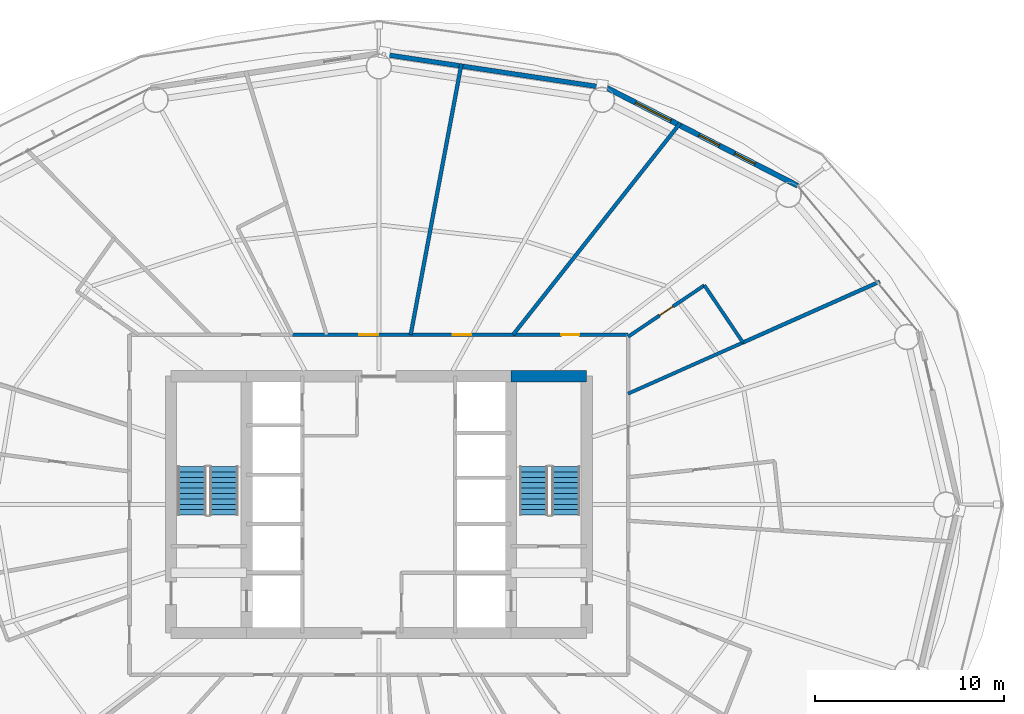
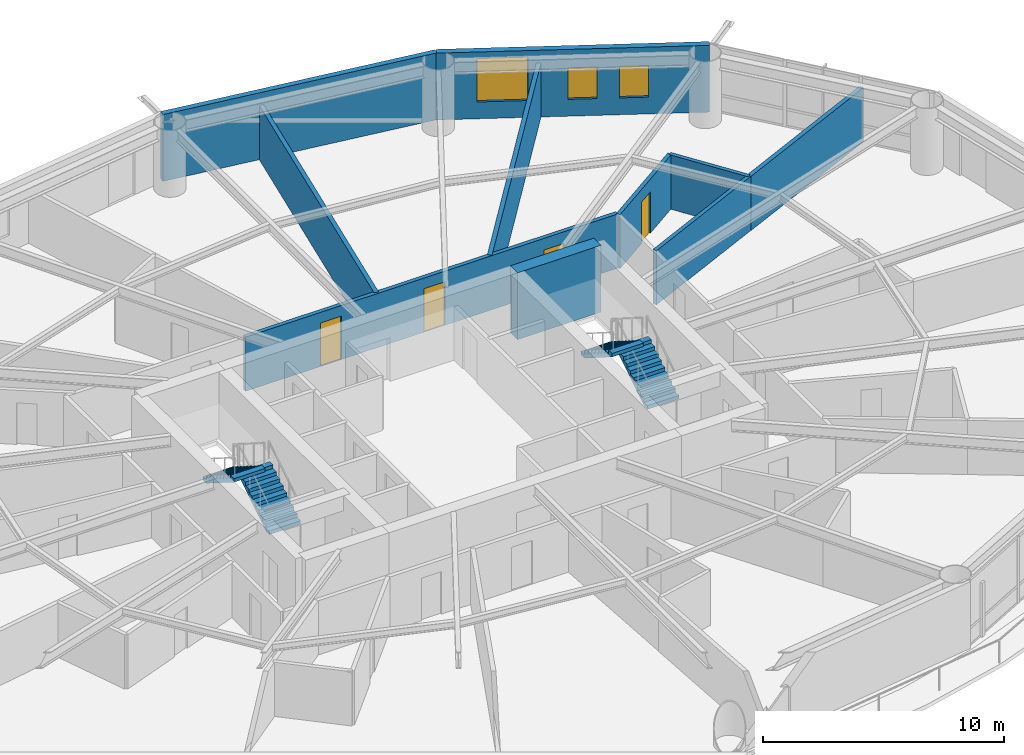
# One storey, part 23 of 26: 10 walls, 4 doors, 4 stair flights, 3 windows, 7 openings, 2 elements without a shape of their own.
"""IFC4 building model written with IfcOpenShell, lengths in metres."""

from ifc_helpers import new_model, si_unit, direction, frame, frame_2d, origin, place, context, subcontext, project, spatial, polyline, rectangle, outline, extrude, material, layer, layer_set, type_object, element, fill, aggregate, save


model = new_model("IFC4")

# Units and contexts
model_context = context("Model", 3, precision=1e-05, world=origin(), true_north=direction((0.0, 1.0)))
body_context = subcontext(model_context, "Body", "Model", "MODEL_VIEW")
ifc_project = project(units=[si_unit("LENGTHUNIT", "METRE"), si_unit("AREAUNIT", "SQUARE_METRE"), si_unit("VOLUMEUNIT", "CUBIC_METRE"), si_unit("PLANEANGLEUNIT", "RADIAN"), si_unit("MASSUNIT", "GRAM", prefix="KILO")], contexts=[model_context])

# Site, building, storey
site_placement = place(None, origin())
site = spatial("IfcSite", under=ifc_project, at=site_placement, CompositionType="ELEMENT")
building_placement = place(site_placement, origin())
building = spatial("IfcBuilding", under=site, at=building_placement, Name="Sarneth Arch Tower", CompositionType="ELEMENT")
storey_placement = place(building_placement, frame((0.0, 0.0, 53.39990234375)))
storey = spatial("IfcBuildingStorey", under=building, at=storey_placement, Name="L12", CompositionType="ELEMENT", Elevation=53.39990234375)

# Wall
ifc_material_1 = material(Name="Concrete C60/75", Category="concrete")
ifc_layer_1 = layer(ifc_material_1, 0.60009765625)
ifc_layer_set_1 = layer_set([ifc_layer_1], Name="Concrete C60/75")
wall_type_1 = type_object("IfcWallType", Name="WALL-CORE-600", PredefinedType="SHEAR", material=ifc_layer_set_1)
wall_1_placement = place(storey_placement, frame((55.0, 48.800048828125, 0.0), z_axis=(0.0, 0.0, 1.0), x_axis=(1.0, 0.0, 0.0)))
element("IfcWall", 1, at=wall_1_placement, inside=storey, type_object=wall_type_1, Name="L12 Core shear wall N-E", PredefinedType="SHEAR", context=body_context, shape_type="SweptSolid", body=[
    extrude(rectangle(XDim=4.0, YDim=0.60009765625, at=frame_2d((2.0, 0.0))), origin(), (0.0, 0.0, 1.0), 3.380126953125),
])

# Wall, openings, doors
ifc_material_2 = material(Name="Double steel-stud corridor fire wall", Category="steel")
ifc_layer_2 = layer(ifc_material_2, 0.18994140625)
ifc_layer_set_2 = layer_set([ifc_layer_2], Name="Double steel-stud corridor fire wall")
wall_type_2 = type_object("IfcWallType", Name="WALL-CORR-190", PredefinedType="PARTITIONING", material=ifc_layer_set_2)
wall_2_placement = place(storey_placement, frame((43.369140625, 51.0, 0.0), z_axis=(0.0, 0.0, 1.0), x_axis=(1.0, 0.0, 0.0)))
wall_2 = element("IfcWall", 2, at=wall_2_placement, inside=storey, type_object=wall_type_2, Name="L12 Interior partition W-L12-TP-001", PredefinedType="PARTITIONING", context=body_context, shape_type="SweptSolid", body=[
    extrude(rectangle(XDim=17.830810546875, YDim=0.18994140625, at=frame_2d((8.91552734375, 0.0))), origin(), (0.0, 0.0, 1.0), 2.739990234375),
])
opening_1_placement = place(wall_2_placement, frame((14.290283203125, 0.0, 0.0)))
opening_1 = element("IfcOpeningElement", 3, at=opening_1_placement, cuts=wall_2, Name="Opening FD-09", PredefinedType="OPENING", context=body_context, shape_type="SweptSolid", body=[
    extrude(rectangle(XDim=0.949951171875, YDim=2.14990234375, at=frame_2d((0.47509765625, 1.074951171875))), frame((0.0, 0.10498046875, 0.0), z_axis=(0.0, -1.0, 0.0), x_axis=(1.0, 0.0, 0.0)), (0.0, 0.0, 1.0), 0.2099609375),
])
opening_2_placement = place(wall_2_placement, frame((8.533203125, 0.0, 0.0)))
opening_2 = element("IfcOpeningElement", 4, at=opening_2_placement, cuts=wall_2, Name="Opening FD-08", PredefinedType="OPENING", context=body_context, shape_type="SweptSolid", body=[
    extrude(rectangle(XDim=1.0, YDim=2.199951171875, at=frame_2d((0.5, 1.10009765625))), frame((0.0, 0.10498046875, 0.0), z_axis=(0.0, -1.0, 0.0), x_axis=(1.0, 0.0, 0.0)), (0.0, 0.0, 1.0), 0.2099609375),
])
opening_3_placement = place(wall_2_placement, frame((3.59130859375, 0.0, 0.0)))
opening_3 = element("IfcOpeningElement", 5, at=opening_3_placement, cuts=wall_2, Name="Opening FD-08", PredefinedType="OPENING", context=body_context, shape_type="SweptSolid", body=[
    extrude(rectangle(XDim=1.0, YDim=2.199951171875, at=frame_2d((0.5, 1.10009765625))), frame((0.0, 0.10498046875, 0.0), z_axis=(0.0, -1.0, 0.0), x_axis=(1.0, 0.0, 0.0)), (0.0, 0.0, 1.0), 0.2099609375),
])
ifc_material_3 = material(Name="Hardwood timber acoustic fire door", Category="wood")
door_type_1 = type_object("IfcDoorType", Name="DR-FD60-1000", OperationType="SINGLE_SWING_LEFT", PredefinedType="DOOR", material=ifc_material_3)
door_1_placement = place(opening_2_placement, origin())
door_1 = element("IfcDoor", 6, at=door_1_placement, inside=storey, type_object=door_type_1, Name="L12 Interior door DR-L12-AMN-02", OperationType="SINGLE_SWING_RIGHT", OverallHeight=2.199951171875, OverallWidth=1.0, PredefinedType="DOOR", context=body_context, shape_type="SweptSolid", body=[
    extrude(rectangle(XDim=1.0, YDim=2.199951171875, at=frame_2d((0.5, 1.10009765625))), frame((0.0, 0.02490234375, 0.0), z_axis=(0.0, -1.0, 0.0), x_axis=(1.0, 0.0, 0.0)), (0.0, 0.0, 1.0), 0.050048828125),
])
fill(opening_2, door_1)
door_2_placement = place(opening_3_placement, origin())
door_2 = element("IfcDoor", 7, at=door_2_placement, inside=storey, type_object=door_type_1, Name="L12 Interior door DR-L12-AMN-03", OperationType="SINGLE_SWING_LEFT", OverallHeight=2.199951171875, OverallWidth=1.0, PredefinedType="DOOR", context=body_context, shape_type="SweptSolid", body=[
    extrude(rectangle(XDim=1.0, YDim=2.199951171875, at=frame_2d((0.5, 1.10009765625))), frame((0.0, 0.02490234375, 0.0), z_axis=(0.0, -1.0, 0.0), x_axis=(1.0, 0.0, 0.0)), (0.0, 0.0, 1.0), 0.050048828125),
])
fill(opening_3, door_2)
ifc_material_4 = material(Name="Hardwood timber hotel entrance fire door", Category="wood")
door_type_2 = type_object("IfcDoorType", Name="DR-FD60-950", OperationType="SINGLE_SWING_RIGHT", PredefinedType="DOOR", material=ifc_material_4)
door_3_placement = place(opening_1_placement, origin())
door_3 = element("IfcDoor", 8, at=door_3_placement, inside=storey, type_object=door_type_2, Name="L12 Interior door DR-L12-KEY-01", OperationType="SINGLE_SWING_LEFT", OverallHeight=2.14990234375, OverallWidth=0.949951171875, PredefinedType="DOOR", context=body_context, shape_type="SweptSolid", body=[
    extrude(rectangle(XDim=0.949951171875, YDim=2.14990234375, at=frame_2d((0.47509765625, 1.074951171875))), frame((0.0, 0.02490234375, 0.0), z_axis=(0.0, -1.0, 0.0), x_axis=(1.0, 0.0, 0.0)), (0.0, 0.0, 1.0), 0.050048828125),
])
fill(opening_1, door_3)

# Wall
ifc_material_5 = material(Name="Extruded terracotta rainscreen on Concrete C40/50 backing", Category="masonry")
ifc_layer_3 = layer(ifc_material_5, 0.25)
ifc_layer_set_3 = layer_set([ifc_layer_3], Name="Extruded terracotta rainscreen on Concrete C40/50 backing")
wall_type_3 = type_object("IfcWallType", Name="WALL-EXT-SPAND-250", PredefinedType="SOLIDWALL", material=ifc_layer_set_3)
wall_3_placement = place(storey_placement, frame((60.077880859375, 64.062255859375, 0.0), z_axis=(0.0, 0.0, 1.0), x_axis=(-0.988864835849, 0.148816452121, 0.0)))
element("IfcWall", 9, at=wall_3_placement, inside=storey, type_object=wall_type_3, Name="L12 Terracotta perimeter wall 04", PredefinedType="SOLIDWALL", context=body_context, shape_type="SweptSolid", body=[
    extrude(rectangle(XDim=12.2138671875, YDim=0.25, at=frame_2d((6.10693359375, 0.0))), origin(), (0.0, 0.0, 1.0), 3.380126953125),
])

# Wall, openings, windows
ifc_material_6 = material(Name="Extruded terracotta rainscreen on Concrete C40/50 backing", Category="masonry")
ifc_layer_4 = layer(ifc_material_6, 0.280029296875)
ifc_layer_set_4 = layer_set([ifc_layer_4], Name="Extruded terracotta rainscreen on Concrete C40/50 backing")
wall_type_4 = type_object("IfcWallType", Name="WALL-EXT-TERRA-280", PredefinedType="SOLIDWALL", material=ifc_layer_set_4)
wall_4_placement = place(storey_placement, frame((70.174072265625, 58.8857421875, 0.0), z_axis=(0.0, 0.0, 1.0), x_axis=(-0.889853976658, 0.456245438581, 0.0)))
wall_4 = element("IfcWall", 10, at=wall_4_placement, inside=storey, type_object=wall_type_4, Name="L12 Terracotta perimeter wall 03", PredefinedType="SOLIDWALL", context=body_context, shape_type="SweptSolid", body=[
    extrude(rectangle(XDim=11.345947265625, YDim=0.280029296875, at=frame_2d((5.6728515625, 0.0))), origin(), (0.0, 0.0, 1.0), 3.380126953125),
])
opening_4_placement = place(wall_4_placement, frame((2.53466796875, 0.0, 0.85009765625)))
opening_4 = element("IfcOpeningElement", 11, at=opening_4_placement, cuts=wall_4, Name="Opening W-10", PredefinedType="OPENING", context=body_context, shape_type="SweptSolid", body=[
    extrude(rectangle(XDim=1.199951171875, YDim=1.60009765625, at=frame_2d((0.60009765625, 0.800048828125))), frame((0.0, 0.14990234375, 0.0), z_axis=(0.0, -1.0, 0.0), x_axis=(1.0, 0.0, 0.0)), (0.0, 0.0, 1.0), 0.300048828125),
])
opening_5_placement = place(wall_4_placement, frame((4.663818359375, 0.0, 0.85009765625)))
opening_5 = element("IfcOpeningElement", 12, at=opening_5_placement, cuts=wall_4, Name="Opening W-10", PredefinedType="OPENING", context=body_context, shape_type="SweptSolid", body=[
    extrude(rectangle(XDim=1.199951171875, YDim=1.60009765625, at=frame_2d((0.60009765625, 0.800048828125))), frame((0.0, 0.14990234375, 0.0), z_axis=(0.0, -1.0, 0.0), x_axis=(1.0, 0.0, 0.0)), (0.0, 0.0, 1.0), 0.300048828125),
])
opening_6_placement = place(wall_4_placement, frame((7.5419921875, 0.0, 0.85009765625)))
opening_6 = element("IfcOpeningElement", 13, at=opening_6_placement, cuts=wall_4, Name="Opening W-03", PredefinedType="OPENING", context=body_context, shape_type="SweptSolid", body=[
    extrude(rectangle(XDim=2.10009765625, YDim=2.199951171875, at=frame_2d((1.050048828125, 1.10009765625))), frame((0.0, 0.14990234375, 0.0), z_axis=(0.0, -1.0, 0.0), x_axis=(1.0, 0.0, 0.0)), (0.0, 0.0, 1.0), 0.300048828125),
])
ifc_material_7 = material(Name="Thermally broken Aluminium 6063-T6 and low-e laminated IGU", Category="aluminium")
window_type_1 = type_object("IfcWindowType", Name="WIN-TWR-1200x1600", PartitioningType="SINGLE_PANEL", PredefinedType="WINDOW", material=ifc_material_7)
window_1_placement = place(opening_4_placement, origin())
window_1 = element("IfcWindow", 14, at=window_1_placement, inside=storey, type_object=window_type_1, Name="L12 Exterior window 03A", OverallHeight=1.60009765625, OverallWidth=1.199951171875, PartitioningType="SINGLE_PANEL", PredefinedType="WINDOW", context=body_context, shape_type="SweptSolid", body=[
    extrude(rectangle(XDim=1.199951171875, YDim=1.60009765625, at=frame_2d((0.60009765625, 0.800048828125))), frame((0.0, 0.030029296875, 0.0), z_axis=(0.0, -1.0, 0.0), x_axis=(1.0, 0.0, 0.0)), (0.0, 0.0, 1.0), 0.06005859375),
])
fill(opening_4, window_1)
window_2_placement = place(opening_5_placement, origin())
window_2 = element("IfcWindow", 15, at=window_2_placement, inside=storey, type_object=window_type_1, Name="L12 Exterior window 03B", OverallHeight=1.60009765625, OverallWidth=1.199951171875, PartitioningType="SINGLE_PANEL", PredefinedType="WINDOW", context=body_context, shape_type="SweptSolid", body=[
    extrude(rectangle(XDim=1.199951171875, YDim=1.60009765625, at=frame_2d((0.60009765625, 0.800048828125))), frame((0.0, 0.030029296875, 0.0), z_axis=(0.0, -1.0, 0.0), x_axis=(1.0, 0.0, 0.0)), (0.0, 0.0, 1.0), 0.06005859375),
])
fill(opening_5, window_2)
ifc_material_8 = material(Name="Thermally broken Aluminium 6063-T6 and low-e laminated IGU", Category="aluminium")
window_type_2 = type_object("IfcWindowType", Name="WIN-TWR-2100x2200", PartitioningType="DOUBLE_PANEL_VERTICAL", PredefinedType="WINDOW", material=ifc_material_8)
window_3_placement = place(opening_6_placement, origin())
window_3 = element("IfcWindow", 16, at=window_3_placement, inside=storey, type_object=window_type_2, Name="L12 Exterior window 03C", OverallHeight=2.199951171875, OverallWidth=2.10009765625, PartitioningType="SINGLE_PANEL", PredefinedType="WINDOW", context=body_context, shape_type="SweptSolid", body=[
    extrude(rectangle(XDim=2.10009765625, YDim=2.199951171875, at=frame_2d((1.050048828125, 1.10009765625))), frame((0.0, 0.030029296875, 0.0), z_axis=(0.0, -1.0, 0.0), x_axis=(1.0, 0.0, 0.0)), (0.0, 0.0, 1.0), 0.06005859375),
])
fill(opening_6, window_3)

# Wall
ifc_material_9 = material(Name="Moisture-resistant plumbing chase wall", Category="gypsum")
ifc_layer_5 = layer(ifc_material_9, 0.179931640625)
ifc_layer_set_5 = layer_set([ifc_layer_5], Name="Moisture-resistant plumbing chase wall")
wall_type_5 = type_object("IfcWallType", Name="WALL-PLUMB-180", PredefinedType="PLUMBINGWALL", material=ifc_layer_set_5)
wall_5_placement = place(storey_placement, frame((67.278076171875, 50.5830078125, 0.0), z_axis=(0.0, 0.0, 1.0), x_axis=(-0.913551093465, -0.406723984575, 0.0)))
element("IfcWall", 17, at=wall_5_placement, inside=storey, type_object=wall_type_5, Name="L12 Interior partition W-L12-TP-032", PredefinedType="PLUMBINGWALL", context=body_context, shape_type="SweptSolid", body=[
    extrude(rectangle(XDim=6.6533203125, YDim=0.179931640625, at=frame_2d((3.32666015625, 0.0))), origin(), (0.0, 0.0, 1.0), 2.739990234375),
])

# Wall, opening, door
wall_6_placement = place(storey_placement, frame((61.199951171875, 50.893310546875, 0.0), z_axis=(0.0, 0.0, 1.0), x_axis=(0.829362933151, 0.558710233587, 0.0)))
wall_6 = element("IfcWall", 18, at=wall_6_placement, inside=storey, type_object=wall_type_5, Name="L12 Interior partition W-L12-TP-028", PredefinedType="PLUMBINGWALL", context=body_context, shape_type="SweptSolid", body=[
    extrude(rectangle(XDim=4.867431640625, YDim=0.179931640625, at=frame_2d((2.43359375, 0.0))), origin(), (0.0, 0.0, 1.0), 2.739990234375),
])
opening_7_placement = place(wall_6_placement, frame((2.0087890625, 0.0, 0.0)))
opening_7 = element("IfcOpeningElement", 19, at=opening_7_placement, cuts=wall_6, Name="Opening ID-02", PredefinedType="OPENING", context=body_context, shape_type="SweptSolid", body=[
    extrude(rectangle(XDim=0.85009765625, YDim=2.10009765625, at=frame_2d((0.425048828125, 1.050048828125))), frame((0.0, 0.099853515625, 0.0), z_axis=(0.0, -1.0, 0.0), x_axis=(1.0, 0.0, 0.0)), (0.0, 0.0, 1.0), 0.199951171875),
])
ifc_material_10 = material(Name="Moisture-resistant bathroom timber door", Category="wood")
door_type_3 = type_object("IfcDoorType", Name="DR-INT-850", OperationType="SINGLE_SWING_RIGHT", PredefinedType="DOOR", material=ifc_material_10)
door_4_placement = place(opening_7_placement, origin())
door_4 = element("IfcDoor", 20, at=door_4_placement, inside=storey, type_object=door_type_3, Name="L12 Interior door DR-L12-ENS-01", OperationType="SINGLE_SWING_RIGHT", OverallHeight=2.10009765625, OverallWidth=0.85009765625, PredefinedType="DOOR", context=body_context, shape_type="SweptSolid", body=[
    extrude(rectangle(XDim=0.85009765625, YDim=2.10009765625, at=frame_2d((0.425048828125, 1.050048828125))), frame((0.0, 0.02490234375, 0.0), z_axis=(0.0, -1.0, 0.0), x_axis=(1.0, 0.0, 0.0)), (0.0, 0.0, 1.0), 0.050048828125),
])
fill(opening_7, door_4)

# Walls
wall_7_placement = place(storey_placement, frame((65.23681640625, 53.61279296875, 0.0), z_axis=(0.0, 0.0, 1.0), x_axis=(0.558749555988, -0.829336441791, 0.0)))
element("IfcWall", 21, at=wall_7_placement, inside=storey, type_object=wall_type_5, Name="L12 Interior partition W-L12-TP-029", PredefinedType="PLUMBINGWALL", context=body_context, shape_type="SweptSolid", body=[
    extrude(rectangle(XDim=3.6533203125, YDim=0.179931640625, at=frame_2d((1.82666015625, 0.0))), origin(), (0.0, 0.0, 1.0), 2.739990234375),
])
ifc_material_11 = material(Name="Double steel-stud acoustic drywall", Category="steel")
ifc_layer_6 = layer(ifc_material_11, 0.199951171875)
ifc_layer_set_6 = layer_set([ifc_layer_6], Name="Double steel-stud acoustic drywall")
wall_type_6 = type_object("IfcWallType", Name="WALL-UNIT-200", PredefinedType="PARTITIONING", material=ifc_layer_set_6)
wall_8_placement = place(storey_placement, frame((52.375, 65.3427734375, 0.0), z_axis=(0.0, 0.0, 1.0), x_axis=(-0.184219844734, -0.982885063884, 0.0)))
element("IfcWall", 22, at=wall_8_placement, inside=storey, type_object=wall_type_6, Name="L12 Interior partition W-L12-TP-033", PredefinedType="PARTITIONING", context=body_context, shape_type="SweptSolid", body=[
    extrude(rectangle(XDim=14.592529296875, YDim=0.199951171875, at=frame_2d((7.29638671875, 0.0))), origin(), (0.0, 0.0, 1.0), 2.739990234375),
])
wall_9_placement = place(storey_placement, frame((63.96044921875, 62.203857421875, 0.0), z_axis=(0.0, 0.0, 1.0), x_axis=(-0.619889304847, -0.784689269543, 0.0)))
element("IfcWall", 23, at=wall_9_placement, inside=storey, type_object=wall_type_6, Name="L12 Interior partition W-L12-TP-030", PredefinedType="PARTITIONING", context=body_context, shape_type="SweptSolid", body=[
    extrude(rectangle(XDim=14.278076171875, YDim=0.199951171875, at=frame_2d((7.13916015625, 0.0))), origin(), (0.0, 0.0, 1.0), 2.739990234375),
])
wall_10_placement = place(storey_placement, frame((74.522705078125, 53.80859375, 0.0), z_axis=(0.0, 0.0, 1.0), x_axis=(-0.913542208968, -0.40674393964, 0.0)))
element("IfcWall", 24, at=wall_10_placement, inside=storey, type_object=wall_type_6, Name="L12 Interior partition W-L12-TP-031", PredefinedType="PARTITIONING", context=body_context, shape_type="SweptSolid", body=[
    extrude(rectangle(XDim=7.93017578125, YDim=0.199951171875, at=frame_2d((3.965087890625, 0.0))), origin(), (0.0, 0.0, 1.0), 2.739990234375),
])

# Stair, stair flights
ifc_material_12 = material(Name="Concrete C50/60", Category="concrete")
stair_type = type_object("IfcStairType", Name="STAIR-CORE-RC", PredefinedType="HALF_TURN_STAIR", material=ifc_material_12)
stair_1_placement = place(storey_placement, origin())
stair_1 = element("IfcStair", 25, at=stair_1_placement, inside=storey, type_object=stair_type, Name="L12 Core Exit Stair 1", PredefinedType="HALF_TURN_STAIR")
ifc_material_13 = material(Name="Concrete C50/60", Category="concrete")
stair_flight_type = type_object("IfcStairFlightType", Name="FLIGHT-RC-1500", PredefinedType="STRAIGHT", material=ifc_material_13)
stair_flight_1_placement = place(storey_placement, frame((39.800048828125, 41.449951171875, 0.0), z_axis=(0.0, 0.0, 1.0), x_axis=(0.0, 1.0, 0.0)))
stair_flight_1 = element("IfcStairFlight", 26, at=stair_flight_1_placement, type_object=stair_flight_type, Name="ST-1 flight 1", NumberOfRisers=10, NumberOfTreads=9, PredefinedType="STRAIGHT", RiserHeight=0.18, TreadLength=0.285, context=body_context, shape_type="SweptSolid", body=[
    extrude(outline(polyline([(0.0, 0.0), (0.0, 0.179931640625), (0.284912109375, 0.179931640625), (0.284912109375, 0.360107421875), (0.570068359375, 0.360107421875), (0.570068359375, 0.5400390625), (0.85498046875, 0.5400390625), (0.85498046875, 0.719970703125), (1.139892578125, 0.719970703125), (1.139892578125, 0.89990234375), (1.425048828125, 0.89990234375), (1.425048828125, 1.080078125), (1.7099609375, 1.080078125), (1.7099609375, 1.260009765625), (1.9951171875, 1.260009765625), (1.9951171875, 1.43994140625), (2.280029296875, 1.43994140625), (2.280029296875, 1.6201171875), (2.56494140625, 1.6201171875), (2.56494140625, 1.800048828125), (2.56494140625, 1.442626953125), (0.28076171875, 0.0), (0.0, 0.0)])), frame((0.0, 0.75, 0.0), z_axis=(0.0, -1.0, 0.0), x_axis=(1.0, 0.0, 0.0)), (0.0, 0.0, 1.0), 1.5),
])
stair_flight_2_placement = place(storey_placement, frame((38.10009765625, 44.014892578125, 1.800048828125), z_axis=(0.0, 0.0, 1.0), x_axis=(0.0, -1.0, 0.0)))
stair_flight_2 = element("IfcStairFlight", 27, at=stair_flight_2_placement, type_object=stair_flight_type, Name="ST-1 flight 2", NumberOfRisers=10, NumberOfTreads=9, PredefinedType="STRAIGHT", RiserHeight=0.18, TreadLength=0.285, context=body_context, shape_type="SweptSolid", body=[
    extrude(outline(polyline([(0.0, 0.0), (0.0, 0.179931640625), (0.284912109375, 0.179931640625), (0.284912109375, 0.360107421875), (0.570068359375, 0.360107421875), (0.570068359375, 0.5400390625), (0.85498046875, 0.5400390625), (0.85498046875, 0.719970703125), (1.139892578125, 0.719970703125), (1.139892578125, 0.89990234375), (1.425048828125, 0.89990234375), (1.425048828125, 1.080078125), (1.7099609375, 1.080078125), (1.7099609375, 1.260009765625), (1.9951171875, 1.260009765625), (1.9951171875, 1.43994140625), (2.280029296875, 1.43994140625), (2.280029296875, 1.6201171875), (2.56494140625, 1.6201171875), (2.56494140625, 1.800048828125), (2.56494140625, 1.442626953125), (0.28076171875, 0.0), (0.0, 0.0)])), frame((0.0, 0.75, 0.0), z_axis=(0.0, -1.0, 0.0), x_axis=(1.0, 0.0, 0.0)), (0.0, 0.0, 1.0), 1.5),
])
aggregate(stair_1, [stair_flight_1, stair_flight_2])

stair_2_placement = place(storey_placement, origin())
stair_2 = element("IfcStair", 28, at=stair_2_placement, inside=storey, type_object=stair_type, Name="L12 Core Exit Stair 2", PredefinedType="HALF_TURN_STAIR")
stair_flight_3_placement = place(storey_placement, frame((57.89990234375, 41.449951171875, 0.0), z_axis=(0.0, 0.0, 1.0), x_axis=(0.0, 1.0, 0.0)))
stair_flight_3 = element("IfcStairFlight", 29, at=stair_flight_3_placement, type_object=stair_flight_type, Name="ST-2 flight 1", NumberOfRisers=10, NumberOfTreads=9, PredefinedType="STRAIGHT", RiserHeight=0.18, TreadLength=0.285, context=body_context, shape_type="SweptSolid", body=[
    extrude(outline(polyline([(0.0, 0.0), (0.0, 0.179931640625), (0.284912109375, 0.179931640625), (0.284912109375, 0.360107421875), (0.570068359375, 0.360107421875), (0.570068359375, 0.5400390625), (0.85498046875, 0.5400390625), (0.85498046875, 0.719970703125), (1.139892578125, 0.719970703125), (1.139892578125, 0.89990234375), (1.425048828125, 0.89990234375), (1.425048828125, 1.080078125), (1.7099609375, 1.080078125), (1.7099609375, 1.260009765625), (1.9951171875, 1.260009765625), (1.9951171875, 1.43994140625), (2.280029296875, 1.43994140625), (2.280029296875, 1.6201171875), (2.56494140625, 1.6201171875), (2.56494140625, 1.800048828125), (2.56494140625, 1.442626953125), (0.28076171875, 0.0), (0.0, 0.0)])), frame((0.0, 0.75, 0.0), z_axis=(0.0, -1.0, 0.0), x_axis=(1.0, 0.0, 0.0)), (0.0, 0.0, 1.0), 1.5),
])
stair_flight_4_placement = place(storey_placement, frame((56.199951171875, 44.014892578125, 1.800048828125), z_axis=(0.0, 0.0, 1.0), x_axis=(0.0, -1.0, 0.0)))
stair_flight_4 = element("IfcStairFlight", 30, at=stair_flight_4_placement, type_object=stair_flight_type, Name="ST-2 flight 2", NumberOfRisers=10, NumberOfTreads=9, PredefinedType="STRAIGHT", RiserHeight=0.18, TreadLength=0.285, context=body_context, shape_type="SweptSolid", body=[
    extrude(outline(polyline([(0.0, 0.0), (0.0, 0.179931640625), (0.284912109375, 0.179931640625), (0.284912109375, 0.360107421875), (0.570068359375, 0.360107421875), (0.570068359375, 0.5400390625), (0.85498046875, 0.5400390625), (0.85498046875, 0.719970703125), (1.139892578125, 0.719970703125), (1.139892578125, 0.89990234375), (1.425048828125, 0.89990234375), (1.425048828125, 1.080078125), (1.7099609375, 1.080078125), (1.7099609375, 1.260009765625), (1.9951171875, 1.260009765625), (1.9951171875, 1.43994140625), (2.280029296875, 1.43994140625), (2.280029296875, 1.6201171875), (2.56494140625, 1.6201171875), (2.56494140625, 1.800048828125), (2.56494140625, 1.442626953125), (0.28076171875, 0.0), (0.0, 0.0)])), frame((0.0, 0.75, 0.0), z_axis=(0.0, -1.0, 0.0), x_axis=(1.0, 0.0, 0.0)), (0.0, 0.0, 1.0), 1.5),
])
aggregate(stair_2, [stair_flight_3, stair_flight_4])

save(model, "model.ifc")
